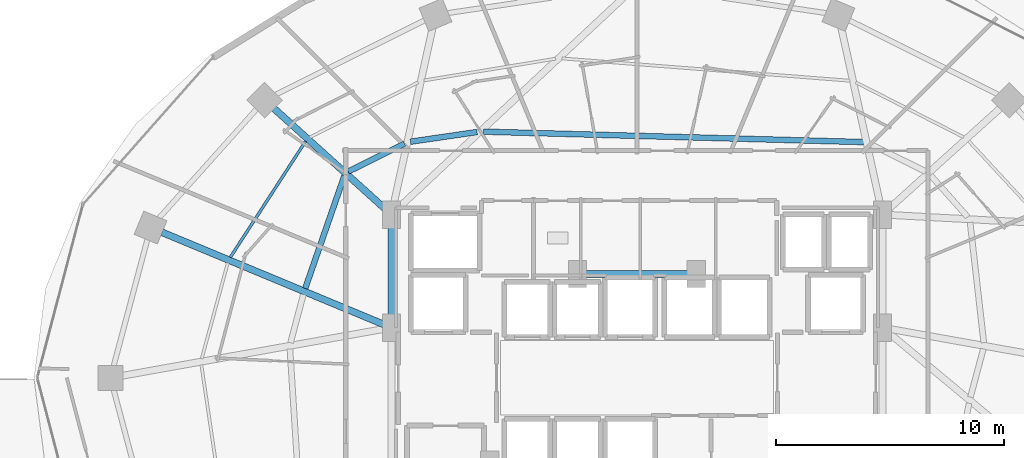
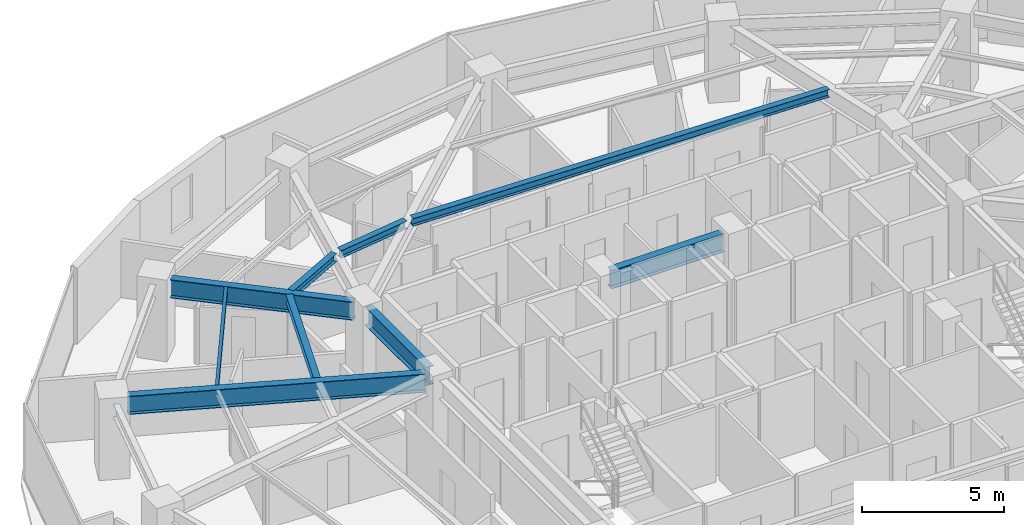
# One storey, part 10 of 31: 9 beams.
"""IFC4 building model written with IfcOpenShell, lengths in metres."""

import ifcopenshell
import ifcopenshell.guid

model = None  # the IFC model being written
_history = None  # IfcOwnerHistory: only IFC2X3 demands one
_inside = {}  # id of a spatial element -> (the spatial element, [elements in it])
_under = {}  # id of a project, library or spatial element -> (it, [spatial elements below it])
_declared = {}  # id of a project -> (the project, [libraries it declares])
_typed = {}  # id of a type object -> (the type object, [elements of that type])
_made_of = {}  # id of a material, layer set ... -> (it, [elements and type objects made of it])


def new_model(schema):
    """Start an empty IFC model of exactly this schema.

    Asked for "IFC4X3", IfcOpenShell would pick the latest addendum, in which some entities
    have other attributes; the version numbers below select the first issue.
    IFC2X3 requires an IfcOwnerHistory on every rooted entity: one is made here for all.
    """
    global model, _history
    if schema == "IFC4X3":
        model = ifcopenshell.file(schema_version=(4, 3, 0, 0))
    else:
        model = ifcopenshell.file(schema=schema)
    _inside.clear()
    _under.clear()
    _declared.clear()
    _typed.clear()
    _made_of.clear()
    _history = None
    if model.schema == "IFC2X3":
        org = make("IfcOrganization", Name="unknown")
        user = make(
            "IfcPersonAndOrganization",
            ThePerson=make("IfcPerson", FamilyName="unknown"),
            TheOrganization=org,
        )
        app = make(
            "IfcApplication",
            ApplicationDeveloper=org,
            Version="unknown",
            ApplicationFullName="unknown",
            ApplicationIdentifier="unknown",
        )
        _history = make(
            "IfcOwnerHistory",
            OwningUser=user,
            OwningApplication=app,
            ChangeAction="ADDED",
            CreationDate=0,
        )
    return model


def make(cls, **values):
    """One entity of the class cls with the attributes given. An attribute that is None is left unset."""
    return model.create_entity(
        cls, **{name: value for name, value in values.items() if value is not None}
    )


def rooted(cls, **values):
    """An entity with a GlobalId (a new one), such as an element, a storey or a relation."""
    return make(cls, GlobalId=ifcopenshell.guid.new(), OwnerHistory=_history, **values)


def si_unit(unit_type, name, prefix=None):
    """IfcSIUnit, for example si_unit("LENGTHUNIT", "METRE", prefix="MILLI")."""
    return make("IfcSIUnit", UnitType=unit_type, Prefix=prefix, Name=name)


def assignment(units):
    """IfcUnitAssignment: the units of a project."""
    return None if units is None else make("IfcUnitAssignment", Units=units)


def point(xyz):
    """IfcCartesianPoint."""
    return None if xyz is None else make("IfcCartesianPoint", Coordinates=xyz)


def direction(xyz):
    """IfcDirection."""
    return None if xyz is None else make("IfcDirection", DirectionRatios=xyz)


def frame(location, z_axis=None, x_axis=None):
    """IfcAxis2Placement3D, a coordinate frame: its origin and axes. An axis left out is left unset."""
    return make(
        "IfcAxis2Placement3D",
        Location=point(location),
        Axis=direction(z_axis),
        RefDirection=direction(x_axis),
    )


def frame_2d(location, x_axis=None):
    """IfcAxis2Placement2D, a coordinate frame in the plane: its origin and x axis."""
    return make(
        "IfcAxis2Placement2D", Location=point(location), RefDirection=direction(x_axis)
    )


def origin():
    """The frame at (0, 0, 0) with its axes left unset."""
    return frame((0.0, 0.0, 0.0))


def origin_2d():
    """The frame at (0, 0) in the plane with its x axis left unset."""
    return frame_2d((0.0, 0.0))


def place(relative_to, where):
    """IfcLocalPlacement: puts the frame where relative to a parent placement (None: the world)."""
    return make(
        "IfcLocalPlacement", PlacementRelTo=relative_to, RelativePlacement=where
    )


def context(
    kind, dimensions, precision=None, world=None, true_north=None, identifier=None
):
    """IfcGeometricRepresentationContext, for example the 3D "Model" context."""
    return make(
        "IfcGeometricRepresentationContext",
        ContextIdentifier=identifier,
        ContextType=kind,
        CoordinateSpaceDimension=dimensions,
        Precision=precision,
        WorldCoordinateSystem=world,
        TrueNorth=true_north,
    )


def subcontext(parent, identifier, kind, view, scale=None):
    """IfcGeometricRepresentationSubContext, for example "Body" below "Model"."""
    return make(
        "IfcGeometricRepresentationSubContext",
        ContextIdentifier=identifier,
        ContextType=kind,
        ParentContext=parent,
        TargetScale=scale,
        TargetView=view,
    )


def project(units=None, contexts=None):
    """IfcProject with its units and contexts."""
    return rooted(
        "IfcProject",
        Name="project",
        RepresentationContexts=contexts,
        UnitsInContext=assignment(units),
    )


def spatial(cls, under=None, at=None, **own):
    """A site, building, storey or space (cls), placed at a placement, below another one or the project."""
    s = rooted(cls, ObjectPlacement=at, **own)
    if under is not None:
        _under.setdefault(under.id(), (under, []))[1].append(s)
    return s


def profile(cls, at=None, kind="AREA", **sizes):
    """A parametric profile (cls). Its sizes go by their IFC names, for example OverallWidth=200.0."""
    return make(cls, ProfileType=kind, Position=at, **sizes)


def i_section(**sizes):
    """IfcIShapeProfileDef."""
    return profile("IfcIShapeProfileDef", **sizes)


def extrude(swept, where, along, depth):
    """IfcExtrudedAreaSolid: the profile swept, set in the frame where, extruded along a direction by depth."""
    return make(
        "IfcExtrudedAreaSolid",
        SweptArea=swept,
        Position=where,
        ExtrudedDirection=direction(along),
        Depth=depth,
    )


def shape(context_of_items, identifier, shape_type, items):
    """IfcShapeRepresentation: the items that make up one representation, for example the "Body"."""
    return make(
        "IfcShapeRepresentation",
        ContextOfItems=context_of_items,
        RepresentationIdentifier=identifier,
        RepresentationType=shape_type,
        Items=items,
    )


def material(Name=None, Category=None):
    """IfcMaterial."""
    return make("IfcMaterial", Name=Name, Category=Category)


def material_profile(
    of_material, cross_section, Name=None, Category=None, Priority=None
):
    """IfcMaterialProfile: a cross section and its material."""
    return make(
        "IfcMaterialProfile",
        Name=Name,
        Material=of_material,
        Profile=cross_section,
        Priority=Priority,
        Category=Category,
    )


def profile_set(profiles, Name=None, composite=None):
    """IfcMaterialProfileSet."""
    return make(
        "IfcMaterialProfileSet",
        Name=Name,
        MaterialProfiles=profiles,
        CompositeProfile=composite,
    )


def made_of(thing, what):
    """Note that an element or type object is made of a material, layer set ...; save() writes the relation."""
    if what is not None:
        _made_of.setdefault(what.id(), (what, []))[1].append(thing)
    return thing


def type_object(cls, material=None, **own):
    """A type object (cls), such as IfcWallType, which elements share."""
    return made_of(rooted(cls, **own), material)


def element(
    cls,
    number,
    at=None,
    inside=None,
    cuts=None,
    type_object=None,
    material=None,
    context=None,
    identifier="Body",
    shape_type=None,
    held_by="IfcProductDefinitionShape",
    body=None,
    shapes=None,
    **own,
):
    """One element of the class cls, such as IfcWall. Its Tag is "e" and its number.

    at: its placement. inside: the storey or other place that contains it. cuts: it is an
    opening in that element (IfcRelVoidsElement). A single representation is given by context,
    identifier, shape_type and body (its items); several are given by shapes. held_by: the class
    of the entity that holds the representations. save() writes the other relations.
    """
    e = rooted(cls, Tag="e%d" % number, ObjectPlacement=at, **own)
    if body is not None:
        shapes = [shape(context, identifier, shape_type, body)]
    if shapes is not None:
        e.Representation = make(held_by, Representations=shapes)
    if inside is not None:
        _inside.setdefault(inside.id(), (inside, []))[1].append(e)
    if cuts is not None:
        rooted(
            "IfcRelVoidsElement", RelatingBuildingElement=cuts, RelatedOpeningElement=e
        )
    if type_object is not None:
        _typed.setdefault(type_object.id(), (type_object, []))[1].append(e)
    return made_of(e, material)


def aggregate(whole, parts):
    """IfcRelAggregates: a whole, such as a stair, and the parts it consists of."""
    return rooted("IfcRelAggregates", RelatingObject=whole, RelatedObjects=parts)


def save(model, path):
    """Write the relations noted so far, then the file.

    IfcRelAggregates (storeys below a building ...), IfcRelContainedInSpatialStructure (elements
    in a storey), IfcRelDefinesByType, IfcRelAssociatesMaterial and IfcRelDeclares: one each for
    every whole, place, type object, material and project.
    """
    for whole, parts in _under.values():
        aggregate(whole, parts)
    for where, things in _inside.values():
        rooted(
            "IfcRelContainedInSpatialStructure",
            RelatedElements=things,
            RelatingStructure=where,
        )
    for kind, things in _typed.values():
        rooted("IfcRelDefinesByType", RelatedObjects=things, RelatingType=kind)
    for what, things in _made_of.values():
        rooted("IfcRelAssociatesMaterial", RelatedObjects=things, RelatingMaterial=what)
    for by, libraries in _declared.values():
        rooted("IfcRelDeclares", RelatingContext=by, RelatedDefinitions=libraries)
    model.write(path)


model = new_model("IFC4")

# Units and contexts
model_context = context("Model", 3, precision=1e-05, world=origin(), true_north=direction((0.0, 1.0)))
body_context = subcontext(model_context, "Body", "Model", "MODEL_VIEW")
ifc_project = project(units=[si_unit("LENGTHUNIT", "METRE"), si_unit("AREAUNIT", "SQUARE_METRE"), si_unit("VOLUMEUNIT", "CUBIC_METRE"), si_unit("PLANEANGLEUNIT", "RADIAN"), si_unit("MASSUNIT", "GRAM", prefix="KILO")], contexts=[model_context])

# Site, building, storey
site_placement = place(None, origin())
site = spatial("IfcSite", under=ifc_project, at=site_placement, CompositionType="ELEMENT")
building_placement = place(site_placement, origin())
building = spatial("IfcBuilding", under=site, at=building_placement, Name="Vorneva Point Tower", CompositionType="ELEMENT")
storey_placement = place(building_placement, frame((0.0, 0.0, 103.300048828125)))
storey = spatial("IfcBuildingStorey", under=building, at=storey_placement, Name="L27", CompositionType="ELEMENT", Elevation=103.300048828125)

# Beams
ifc_material = material(Name="Steel S355", Category="steel")
ifc_material_profile_1 = material_profile(ifc_material, i_section(OverallWidth=0.300048828125, OverallDepth=0.7880859375, WebThickness=0.014404296875, FlangeThickness=0.02197265625, at=origin_2d()), Name="80Sh1")
ifc_profile_set_1 = profile_set([ifc_material_profile_1], Name="Steel S355")
beam_type_1 = type_object("IfcBeamType", Name="BM-GRD-80Sh1", PredefinedType="USERDEFINED", material=ifc_profile_set_1)
beam_1_placement = place(storey_placement, frame((22.100341796875, 37.801513671875, 2.845947265625), z_axis=(0.742097300344, -0.670292172729, 0.0), x_axis=(0.670292172729, 0.742097300344, 0.0)))
element("IfcBeam", 1, at=beam_1_placement, inside=storey, type_object=beam_type_1, Name="L27 Radial Primary Girder 07", ObjectType="GIRDER", PredefinedType="USERDEFINED", context=body_context, shape_type="SweptSolid", body=[
    extrude(i_section(OverallWidth=0.300048828125, OverallDepth=0.7880859375, WebThickness=0.014404296875, FlangeThickness=0.02197265625, at=origin_2d()), origin(), (0.0, 0.0, 1.0), 6.599365234375),
])
beam_2_placement = place(storey_placement, frame((17.201416015625, 32.375732421875, 2.845947265625), z_axis=(0.923444451211, -0.383732127307, 0.0), x_axis=(0.383732127307, 0.923444451211, 0.0)))
element("IfcBeam", 2, at=beam_2_placement, inside=storey, type_object=beam_type_1, Name="L27 Radial Primary Girder 08", ObjectType="GIRDER", PredefinedType="USERDEFINED", context=body_context, shape_type="SweptSolid", body=[
    extrude(i_section(OverallWidth=0.300048828125, OverallDepth=0.7880859375, WebThickness=0.014404296875, FlangeThickness=0.02197265625, at=origin_2d()), origin(), (0.0, 0.0, 1.0), 10.541748046875),
])
beam_3_placement = place(storey_placement, frame((27.25, 28.52001953125, 2.845947265625), z_axis=(0.0, 1.0, 0.0), x_axis=(-1.0, 0.0, 0.0)))
element("IfcBeam", 3, at=beam_3_placement, inside=storey, type_object=beam_type_1, Name="L27 Core Tie Girder CT2", ObjectType="GIRDER", PredefinedType="USERDEFINED", context=body_context, shape_type="SweptSolid", body=[
    extrude(i_section(OverallWidth=0.300048828125, OverallDepth=0.7880859375, WebThickness=0.014404296875, FlangeThickness=0.02197265625, at=origin_2d()), origin(), (0.0, 0.0, 1.0), 4.31005859375),
])
beam_4_placement = place(storey_placement, frame((35.719970703125, 30.550048828125, 2.845947265625), z_axis=(1.0, 0.0, 0.0), x_axis=(0.0, 1.0, 0.0)))
element("IfcBeam", 4, at=beam_4_placement, inside=storey, type_object=beam_type_1, Name="L27 Core Tie Girder CT8", ObjectType="GIRDER", PredefinedType="USERDEFINED", context=body_context, shape_type="SweptSolid", body=[
    extrude(i_section(OverallWidth=0.300048828125, OverallDepth=0.7880859375, WebThickness=0.014404296875, FlangeThickness=0.02197265625, at=origin_2d()), origin(), (0.0, 0.0, 1.0), 4.56005859375),
])
ifc_material_profile_2 = material_profile(ifc_material, i_section(OverallWidth=0.1240234375, OverallDepth=0.248046875, WebThickness=0.0048828125, FlangeThickness=0.008056640625, at=origin_2d()), Name="25B1")
ifc_profile_set_2 = profile_set([ifc_material_profile_2], Name="Steel S355")
beam_type_2 = type_object("IfcBeamType", Name="BM-JST-25B1", PredefinedType="JOIST", material=ifc_profile_set_2)
beam_5_placement = place(storey_placement, frame((23.494384765625, 36.358642578125, 3.115966796875), z_axis=(-0.544388916418, -0.838832943846, 0.0), x_axis=(0.838832943846, -0.544388916418, 0.0)))
element("IfcBeam", 5, at=beam_5_placement, inside=storey, type_object=beam_type_2, Name="L27 Secondary Floor Beam 1.07", PredefinedType="JOIST", context=body_context, shape_type="SweptSolid", body=[
    extrude(i_section(OverallWidth=0.1240234375, OverallDepth=0.248046875, WebThickness=0.0048828125, FlangeThickness=0.008056640625, at=origin_2d()), origin(), (0.0, 0.0, 1.0), 6.056884765625),
])
ifc_material_profile_3 = material_profile(ifc_material, i_section(OverallWidth=0.2490234375, OverallDepth=0.333984375, WebThickness=0.008056640625, FlangeThickness=0.010986328125, at=origin_2d()), Name="35Sh1")
ifc_profile_set_3 = profile_set([ifc_material_profile_3], Name="Steel S355")
beam_type_3 = type_object("IfcBeamType", Name="BM-SEC-35Sh1", PredefinedType="BEAM", material=ifc_profile_set_3)
beam_6_placement = place(storey_placement, frame((47.912353515625, 36.32373046875, 3.072998046875), z_axis=(-0.999623292618, 0.027445816722, 0.0), x_axis=(-0.027445816722, -0.999623292618, 0.0)))
element("IfcBeam", 6, at=beam_6_placement, inside=storey, type_object=beam_type_3, Name="L27 Secondary Floor Beam 2.04", PredefinedType="BEAM", context=body_context, shape_type="SweptSolid", body=[
    extrude(i_section(OverallWidth=0.2490234375, OverallDepth=0.333984375, WebThickness=0.008056640625, FlangeThickness=0.010986328125, at=origin_2d()), origin(), (0.0, 0.0, 1.0), 16.643310546875),
])
beam_7_placement = place(storey_placement, frame((31.0009765625, 36.764404296875, 3.072998046875), z_axis=(-0.989557870421, -0.144136119998, 0.0), x_axis=(0.144136119998, -0.989557870421, 0.0)))
element("IfcBeam", 7, at=beam_7_placement, inside=storey, type_object=beam_type_3, Name="L27 Secondary Floor Beam 2.05", PredefinedType="BEAM", context=body_context, shape_type="SweptSolid", body=[
    extrude(i_section(OverallWidth=0.2490234375, OverallDepth=0.333984375, WebThickness=0.008056640625, FlangeThickness=0.010986328125, at=origin_2d()), origin(), (0.0, 0.0, 1.0), 2.945556640625),
])
beam_8_placement = place(storey_placement, frame((27.826171875, 36.258544921875, 3.072998046875), z_axis=(-0.895505315746, -0.445050816728, 0.0), x_axis=(0.445050816728, -0.895505315746, 0.0)))
element("IfcBeam", 8, at=beam_8_placement, inside=storey, type_object=beam_type_3, Name="L27 Secondary Floor Beam 2.06", PredefinedType="BEAM", context=body_context, shape_type="SweptSolid", body=[
    extrude(i_section(OverallWidth=0.2490234375, OverallDepth=0.333984375, WebThickness=0.008056640625, FlangeThickness=0.010986328125, at=origin_2d()), origin(), (0.0, 0.0, 1.0), 2.756103515625),
])
beam_9_placement = place(storey_placement, frame((25.189208984375, 34.840087890625, 3.072998046875), z_axis=(-0.328524258269, -0.944495532932, 0.0), x_axis=(0.944495532932, -0.328524258269, 0.0)))
element("IfcBeam", 9, at=beam_9_placement, inside=storey, type_object=beam_type_3, Name="L27 Secondary Floor Beam 2.07", PredefinedType="BEAM", context=body_context, shape_type="SweptSolid", body=[
    extrude(i_section(OverallWidth=0.2490234375, OverallDepth=0.333984375, WebThickness=0.008056640625, FlangeThickness=0.010986328125, at=origin_2d()), origin(), (0.0, 0.0, 1.0), 5.21240234375),
])

save(model, "model.ifc")
